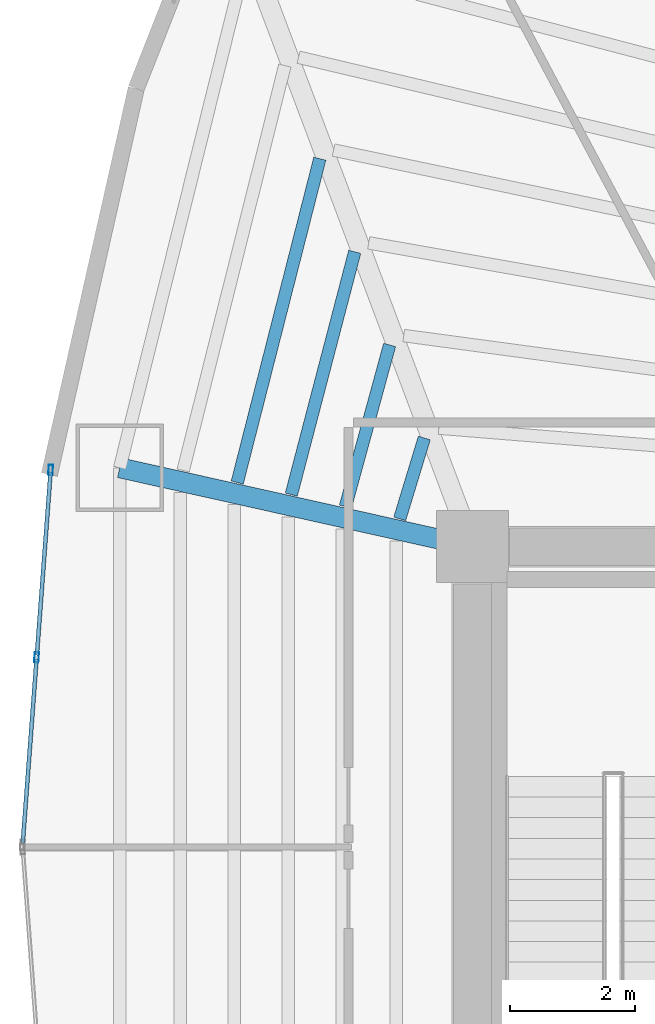
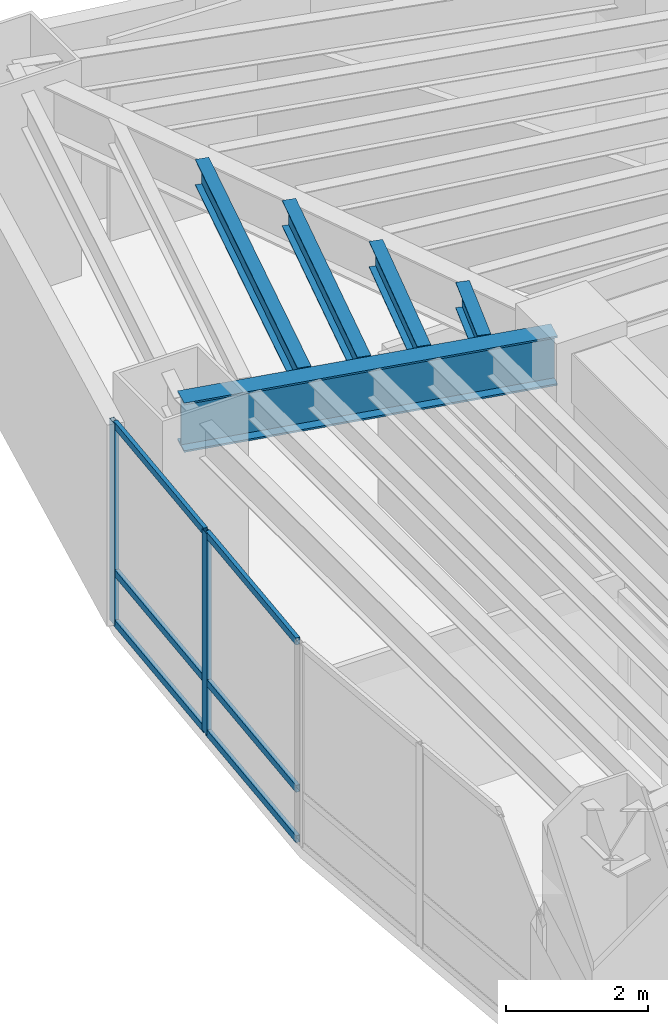
# One storey, part 7 of 18: 8 members, 5 beams, 1 element without a shape of its own.
"""IFC4 building model written with IfcOpenShell, lengths in metres."""

from ifc_helpers import new_model, si_unit, direction, frame, origin, origin_2d, place, context, subcontext, project, spatial, hollow_rectangle, i_section, extrude, material, layer, layer_set, material_profile, profile_set, type_object, element, aggregate, save


model = new_model("IFC4")

# Units and contexts
model_context = context("Model", 3, precision=1e-05, world=origin(), true_north=direction((0.0, 1.0)))
body_context = subcontext(model_context, "Body", "Model", "MODEL_VIEW")
ifc_project = project(units=[si_unit("LENGTHUNIT", "METRE"), si_unit("AREAUNIT", "SQUARE_METRE"), si_unit("VOLUMEUNIT", "CUBIC_METRE"), si_unit("PLANEANGLEUNIT", "RADIAN"), si_unit("MASSUNIT", "GRAM", prefix="KILO")], contexts=[model_context])

# Site, building, storey
site_placement = place(None, origin())
site = spatial("IfcSite", under=ifc_project, at=site_placement, CompositionType="ELEMENT")
building_placement = place(site_placement, origin())
building = spatial("IfcBuilding", under=site, at=building_placement, Name="Menara Vayukalpa", CompositionType="ELEMENT")
storey_placement = place(building_placement, frame((0.0, 0.0, 35.0400390625)))
storey = spatial("IfcBuildingStorey", under=building, at=storey_placement, Name="L07", CompositionType="ELEMENT", Elevation=35.0400390625)

# Beams
ifc_material_1 = material(Name="Steel S355", Category="steel")
ifc_material_profile_1 = material_profile(ifc_material_1, i_section(OverallWidth=0.320068359375, OverallDepth=0.85009765625, WebThickness=0.01611328125, FlangeThickness=0.030029296875, at=origin_2d()), Name="WF 850x320x16x30")
ifc_profile_set_1 = profile_set([ifc_material_profile_1], Name="Steel S355")
beam_type_1 = type_object("IfcBeamType", Name="BM-PG2", PredefinedType="BEAM", material=ifc_profile_set_1)
beam_1_placement = place(storey_placement, frame((17.555908203125, 26.8544921875, 3.044921875), z_axis=(-0.975920137818, 0.218128138031, 0.0), x_axis=(-0.218128138031, -0.975920137818, 0.0)))
element("IfcBeam", 1, at=beam_1_placement, inside=storey, type_object=beam_type_1, Name="L07 Primary Radial Girder RG05", PredefinedType="BEAM", context=body_context, shape_type="SweptSolid", body=[
    extrude(i_section(OverallWidth=0.320068359375, OverallDepth=0.85009765625, WebThickness=0.01611328125, FlangeThickness=0.030029296875, at=origin_2d()), origin(), (0.0, 0.0, 1.0), 5.524658203125),
])
ifc_material_2 = material(Name="Steel S355", Category="steel")
ifc_material_profile_2 = material_profile(ifc_material_2, i_section(OverallWidth=0.199951171875, OverallDepth=0.449951171875, WebThickness=0.009033203125, FlangeThickness=0.013916015625, at=origin_2d()), Name="WF 450x200x9x14")
ifc_profile_set_2 = profile_set([ifc_material_profile_2], Name="Steel S355")
beam_type_2 = type_object("IfcBeamType", Name="BM-SJ1", PredefinedType="JOIST", material=ifc_profile_set_2)
beam_2_placement = place(storey_placement, frame((17.03076171875, 28.535888671875, 3.244873046875), z_axis=(-0.291010568606, -0.956719838281, 0.0), x_axis=(0.956719838281, -0.291010568606, 0.0)))
element("IfcBeam", 2, at=beam_2_placement, inside=storey, type_object=beam_type_2, Name="L07 Secondary Floor Joist SJ04-1", PredefinedType="JOIST", context=body_context, shape_type="SweptSolid", body=[
    extrude(i_section(OverallWidth=0.199951171875, OverallDepth=0.449951171875, WebThickness=0.009033203125, FlangeThickness=0.013916015625, at=origin_2d()), origin(), (0.0, 0.0, 1.0), 1.3505859375),
])
beam_3_placement = place(storey_placement, frame((16.4765625, 30.0224609375, 3.244873046875), z_axis=(-0.263618546233, -0.964627006714, 0.0), x_axis=(0.964627006714, -0.263618546233, 0.0)))
element("IfcBeam", 3, at=beam_3_placement, inside=storey, type_object=beam_type_2, Name="L07 Secondary Floor Joist SJ04-2", PredefinedType="JOIST", context=body_context, shape_type="SweptSolid", body=[
    extrude(i_section(OverallWidth=0.199951171875, OverallDepth=0.449951171875, WebThickness=0.009033203125, FlangeThickness=0.013916015625, at=origin_2d()), origin(), (0.0, 0.0, 1.0), 2.67919921875),
])
beam_4_placement = place(storey_placement, frame((15.919189453125, 31.510009765625, 3.244873046875), z_axis=(-0.25283833468, -0.967508540798, 0.0), x_axis=(0.967508540798, -0.25283833468, 0.0)))
element("IfcBeam", 4, at=beam_4_placement, inside=storey, type_object=beam_type_2, Name="L07 Secondary Floor Joist SJ04-3", PredefinedType="JOIST", context=body_context, shape_type="SweptSolid", body=[
    extrude(i_section(OverallWidth=0.199951171875, OverallDepth=0.449951171875, WebThickness=0.009033203125, FlangeThickness=0.013916015625, at=origin_2d()), origin(), (0.0, 0.0, 1.0), 4.00927734375),
])
beam_5_placement = place(storey_placement, frame((15.361328125, 32.997802734375, 3.244873046875), z_axis=(-0.247105572938, -0.968988563309, 0.0), x_axis=(0.968988563309, -0.247105572938, 0.0)))
element("IfcBeam", 5, at=beam_5_placement, inside=storey, type_object=beam_type_2, Name="L07 Secondary Floor Joist SJ04-4", PredefinedType="JOIST", context=body_context, shape_type="SweptSolid", body=[
    extrude(i_section(OverallWidth=0.199951171875, OverallDepth=0.449951171875, WebThickness=0.009033203125, FlangeThickness=0.013916015625, at=origin_2d()), origin(), (0.0, 0.0, 1.0), 5.339111328125),
])

# Curtain wall, members
ifc_material_3 = material(Name="Anodised Terracotta Aluminium Alloy 6063-T6", Category="masonry")
ifc_layer = layer(ifc_material_3, 0.1650390625)
ifc_layer_set = layer_set([ifc_layer], Name="Anodised Terracotta Aluminium Alloy 6063-T6")
curtain_wall_type = type_object("IfcCurtainWallType", Name="CW-CW2", PredefinedType="USERDEFINED", material=ifc_layer_set)
curtain_wall_placement = place(storey_placement, origin())
curtain_wall = element("IfcCurtainWall", 6, at=curtain_wall_placement, inside=storey, type_object=curtain_wall_type, Name="L07 Low Rise Terracotta Ribbon Curtain Wall CW2 10", ObjectType="UNITISED", PredefinedType="USERDEFINED")
ifc_material_4 = material(Name="Anodised Terracotta Aluminium Alloy 6063-T6", Category="masonry")
ifc_material_profile_3 = material_profile(ifc_material_4, hollow_rectangle(XDim=0.070068359375, YDim=0.1650390625, WallThickness=0.00390625, at=origin_2d()), Name="ALU 70x165x4")
ifc_profile_set_3 = profile_set([ifc_material_profile_3], Name="Anodised Terracotta Aluminium Alloy 6063-T6")
member_type_1 = type_object("IfcMemberType", Name="CWM-CW2", PredefinedType="MULLION", material=ifc_profile_set_3)
member_1_placement = place(storey_placement, frame((11.0615234375, 28.024658203125, 0.0), z_axis=(0.0, 0.0, 1.0), x_axis=(0.997198941676, -0.074794857576, 0.0)))
member_1 = element("IfcMember", 7, at=member_1_placement, type_object=member_type_1, Name="CW2 mullion 1", PredefinedType="MULLION", context=body_context, shape_type="SweptSolid", body=[
    extrude(hollow_rectangle(XDim=0.070068359375, YDim=0.1650390625, WallThickness=0.00390625, at=origin_2d()), origin(), (0.0, 0.0, 1.0), 3.469970703125),
])
member_2_placement = place(storey_placement, frame((10.8369140625, 25.02978515625, 0.0), z_axis=(0.0, 0.0, 1.0), x_axis=(0.997198941676, -0.074794857576, 0.0)))
member_2 = element("IfcMember", 8, at=member_2_placement, type_object=member_type_1, Name="CW2 mullion 2", PredefinedType="MULLION", context=body_context, shape_type="SweptSolid", body=[
    extrude(hollow_rectangle(XDim=0.070068359375, YDim=0.1650390625, WallThickness=0.00390625, at=origin_2d()), origin(), (0.0, 0.0, 1.0), 3.469970703125),
])
ifc_material_5 = material(Name="Anodised Terracotta Aluminium Alloy 6063-T6", Category="masonry")
ifc_material_profile_4 = material_profile(ifc_material_5, hollow_rectangle(XDim=0.06494140625, YDim=0.1201171875, WallThickness=0.00341796875, at=origin_2d()), Name="ALU 65x120x3.5")
ifc_profile_set_4 = profile_set([ifc_material_profile_4], Name="Anodised Terracotta Aluminium Alloy 6063-T6")
member_type_2 = type_object("IfcMemberType", Name="CWT-CW2", PredefinedType="USERDEFINED", material=ifc_profile_set_4)
member_3_placement = place(storey_placement, frame((11.05908203125, 27.98974609375, 0.032470703125), z_axis=(-0.074825123723, -0.997196671103, 0.0), x_axis=(0.997196671103, -0.074825123723, 0.0)))
member_3 = element("IfcMember", 9, at=member_3_placement, type_object=member_type_2, Name="CW2 transom 1.1", ObjectType="TRANSOM", PredefinedType="USERDEFINED", context=body_context, shape_type="SweptSolid", body=[
    extrude(hollow_rectangle(XDim=0.06494140625, YDim=0.1201171875, WallThickness=0.00341796875, at=origin_2d()), origin(), (0.0, 0.0, 1.0), 2.933349609375),
])
member_4_placement = place(storey_placement, frame((11.05908203125, 27.98974609375, 0.89990234375), z_axis=(-0.074825123723, -0.997196671103, 0.0), x_axis=(0.997196671103, -0.074825123723, 0.0)))
member_4 = element("IfcMember", 10, at=member_4_placement, type_object=member_type_2, Name="CW2 transom 1.2", ObjectType="TRANSOM", PredefinedType="USERDEFINED", context=body_context, shape_type="SweptSolid", body=[
    extrude(hollow_rectangle(XDim=0.06494140625, YDim=0.1201171875, WallThickness=0.00341796875, at=origin_2d()), origin(), (0.0, 0.0, 1.0), 2.933349609375),
])
member_5_placement = place(storey_placement, frame((11.05908203125, 27.98974609375, 3.4375), z_axis=(-0.074825123723, -0.997196671103, 0.0), x_axis=(0.997196671103, -0.074825123723, 0.0)))
member_5 = element("IfcMember", 11, at=member_5_placement, type_object=member_type_2, Name="CW2 transom 1.3", ObjectType="TRANSOM", PredefinedType="USERDEFINED", context=body_context, shape_type="SweptSolid", body=[
    extrude(hollow_rectangle(XDim=0.06494140625, YDim=0.1201171875, WallThickness=0.00341796875, at=origin_2d()), origin(), (0.0, 0.0, 1.0), 2.933349609375),
])
member_6_placement = place(storey_placement, frame((10.834228515625, 24.994873046875, 0.032470703125), z_axis=(-0.074742357441, -0.997202878057, 0.0), x_axis=(0.997202878057, -0.074742357441, 0.0)))
member_6 = element("IfcMember", 12, at=member_6_placement, type_object=member_type_2, Name="CW2 transom 2.1", ObjectType="TRANSOM", PredefinedType="USERDEFINED", context=body_context, shape_type="SweptSolid", body=[
    extrude(hollow_rectangle(XDim=0.06494140625, YDim=0.1201171875, WallThickness=0.00341796875, at=origin_2d()), origin(), (0.0, 0.0, 1.0), 2.933349609375),
])
member_7_placement = place(storey_placement, frame((10.834228515625, 24.994873046875, 0.89990234375), z_axis=(-0.074742357441, -0.997202878057, 0.0), x_axis=(0.997202878057, -0.074742357441, 0.0)))
member_7 = element("IfcMember", 13, at=member_7_placement, type_object=member_type_2, Name="CW2 transom 2.2", ObjectType="TRANSOM", PredefinedType="USERDEFINED", context=body_context, shape_type="SweptSolid", body=[
    extrude(hollow_rectangle(XDim=0.06494140625, YDim=0.1201171875, WallThickness=0.00341796875, at=origin_2d()), origin(), (0.0, 0.0, 1.0), 2.933349609375),
])
member_8_placement = place(storey_placement, frame((10.834228515625, 24.994873046875, 3.4375), z_axis=(-0.074742357441, -0.997202878057, 0.0), x_axis=(0.997202878057, -0.074742357441, 0.0)))
member_8 = element("IfcMember", 14, at=member_8_placement, type_object=member_type_2, Name="CW2 transom 2.3", ObjectType="TRANSOM", PredefinedType="USERDEFINED", context=body_context, shape_type="SweptSolid", body=[
    extrude(hollow_rectangle(XDim=0.06494140625, YDim=0.1201171875, WallThickness=0.00341796875, at=origin_2d()), origin(), (0.0, 0.0, 1.0), 2.933349609375),
])
aggregate(curtain_wall, [member_1, member_2, member_3, member_4, member_5, member_6, member_7, member_8])

save(model, "model.ifc")
